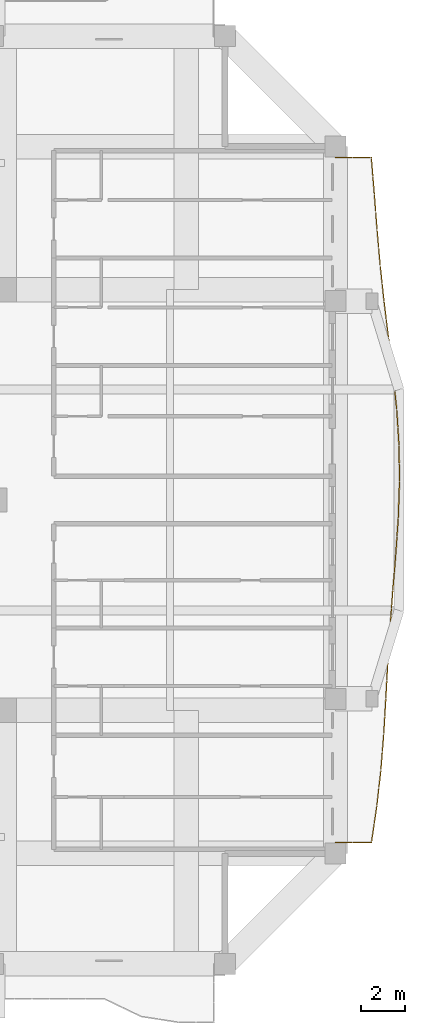
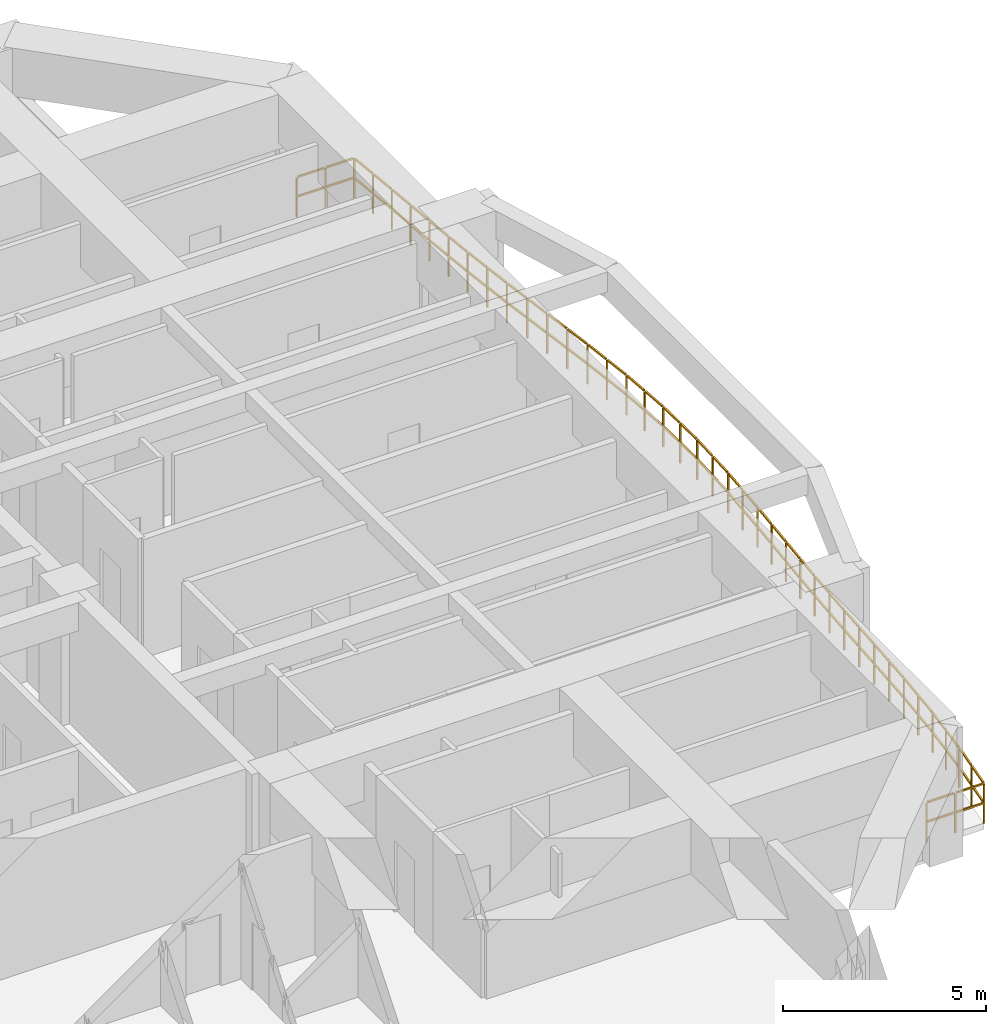
# One storey, part 14 of 15: 1 railing.
"""IFC4 building model written with IfcOpenShell, lengths in metres."""

from ifc_helpers import new_model, si_unit, direction, frame, origin, origin_2d, place, context, subcontext, project, spatial, rectangle, extrude, material, type_object, element, save


model = new_model("IFC4")

# Units and contexts
model_context = context("Model", 3, precision=1e-05, world=origin(), true_north=direction((0.0, 1.0)))
body_context = subcontext(model_context, "Body", "Model", "MODEL_VIEW")
ifc_project = project(units=[si_unit("LENGTHUNIT", "METRE"), si_unit("AREAUNIT", "SQUARE_METRE"), si_unit("VOLUMEUNIT", "CUBIC_METRE"), si_unit("PLANEANGLEUNIT", "RADIAN"), si_unit("MASSUNIT", "GRAM", prefix="KILO")], contexts=[model_context])

# Site, building, storey
site_placement = place(None, origin())
site = spatial("IfcSite", under=ifc_project, at=site_placement, CompositionType="ELEMENT")
building_placement = place(site_placement, origin())
building = spatial("IfcBuilding", under=site, at=building_placement, Name="Saelheon Loggia Tower", CompositionType="ELEMENT")
storey_placement = place(building_placement, frame((0.0, 0.0, 169.0)))
storey = spatial("IfcBuildingStorey", under=building, at=storey_placement, Name="L53", CompositionType="ELEMENT", Elevation=169.0)

# Railing
ifc_material = material(Name="Architectural Precast Concrete and Laminated Glass Guard", Category="concrete")
railing_type = type_object("IfcRailingType", Name="Guard_Loggia_RL_LOG", PredefinedType="BALUSTRADE", material=ifc_material)
railing_placement = place(storey_placement, frame((60.0, 11.5, 0.0)))
element("IfcRailing", 1, at=railing_placement, inside=storey, type_object=railing_type, Name="L53 East Loggia Balustrade", PredefinedType="BALUSTRADE", context=body_context, shape_type="SweptSolid", body=[
    extrude(rectangle(XDim=0.048095703125, YDim=0.048095703125, at=origin_2d()), frame((0.033203125, 0.0, 1.19580078125), z_axis=(1.0, 0.0, 0.0), x_axis=(0.0, 1.0, 0.0)), (0.0, 0.0, 1.0), 0.7509765625),
    extrude(rectangle(XDim=0.048095703125, YDim=0.048095703125, at=origin_2d()), frame((0.033203125, 0.0, 0.60986328125), z_axis=(1.0, 0.0, 0.0), x_axis=(0.0, 1.0, 0.0)), (0.0, 0.0, 1.0), 0.7509765625),
    extrude(rectangle(XDim=0.048095703125, YDim=0.048095703125, at=origin_2d()), frame((0.850830078125, 0.0, 1.19580078125), z_axis=(1.0, 0.0, 0.0), x_axis=(0.0, 1.0, 0.0)), (0.0, 0.0, 1.0), 0.7509765625),
    extrude(rectangle(XDim=0.048095703125, YDim=0.048095703125, at=origin_2d()), frame((0.850830078125, 0.0, 0.60986328125), z_axis=(1.0, 0.0, 0.0), x_axis=(0.0, 1.0, 0.0)), (0.0, 0.0, 1.0), 0.7509765625),
    extrude(rectangle(XDim=0.048095703125, YDim=0.048095703125, at=origin_2d()), frame((1.639892578125, 0.032958984375, 1.19580078125), z_axis=(0.145378914052, 0.989376051534, 0.0), x_axis=(-0.989376051534, 0.145378914052, 0.0)), (0.0, 0.0, 1.0), 0.758056640625),
    extrude(rectangle(XDim=0.048095703125, YDim=0.048095703125, at=origin_2d()), frame((1.639892578125, 0.032958984375, 0.60986328125), z_axis=(0.145378914052, 0.989376051534, 0.0), x_axis=(-0.989376051534, 0.145378914052, 0.0)), (0.0, 0.0, 1.0), 0.758056640625),
    extrude(rectangle(XDim=0.048095703125, YDim=0.048095703125, at=origin_2d()), frame((1.759765625, 0.8486328125, 1.19580078125), z_axis=(0.145378914052, 0.989376051534, 0.0), x_axis=(-0.989376051534, 0.145378914052, 0.0)), (0.0, 0.0, 1.0), 0.758056640625),
    extrude(rectangle(XDim=0.048095703125, YDim=0.048095703125, at=origin_2d()), frame((1.759765625, 0.8486328125, 0.60986328125), z_axis=(0.145378914052, 0.989376051534, 0.0), x_axis=(-0.989376051534, 0.145378914052, 0.0)), (0.0, 0.0, 1.0), 0.758056640625),
    extrude(rectangle(XDim=0.048095703125, YDim=0.048095703125, at=origin_2d()), frame((1.87841796875, 1.66455078125, 1.19580078125), z_axis=(0.112552721228, 0.993645754253, 0.0), x_axis=(-0.993645754253, 0.112552721228, 0.0)), (0.0, 0.0, 1.0), 0.754638671875),
    extrude(rectangle(XDim=0.048095703125, YDim=0.048095703125, at=origin_2d()), frame((1.87841796875, 1.66455078125, 0.60986328125), z_axis=(0.112552721228, 0.993645754253, 0.0), x_axis=(-0.993645754253, 0.112552721228, 0.0)), (0.0, 0.0, 1.0), 0.754638671875),
    extrude(rectangle(XDim=0.048095703125, YDim=0.048095703125, at=origin_2d()), frame((1.970947265625, 2.48046875, 1.19580078125), z_axis=(0.112552721228, 0.993645754253, 0.0), x_axis=(-0.993645754253, 0.112552721228, 0.0)), (0.0, 0.0, 1.0), 0.754638671875),
    extrude(rectangle(XDim=0.048095703125, YDim=0.048095703125, at=origin_2d()), frame((1.970947265625, 2.48046875, 0.60986328125), z_axis=(0.112552721228, 0.993645754253, 0.0), x_axis=(-0.993645754253, 0.112552721228, 0.0)), (0.0, 0.0, 1.0), 0.754638671875),
    extrude(rectangle(XDim=0.048095703125, YDim=0.048095703125, at=origin_2d()), frame((2.062255859375, 3.29638671875, 1.19580078125), z_axis=(0.079650367873, 0.996822862347, 0.0), x_axis=(-0.996822862347, 0.079650367873, 0.0)), (0.0, 0.0, 1.0), 0.751953125),
    extrude(rectangle(XDim=0.048095703125, YDim=0.048095703125, at=origin_2d()), frame((2.062255859375, 3.29638671875, 0.60986328125), z_axis=(0.079650367873, 0.996822862347, 0.0), x_axis=(-0.996822862347, 0.079650367873, 0.0)), (0.0, 0.0, 1.0), 0.751953125),
    extrude(rectangle(XDim=0.048095703125, YDim=0.048095703125, at=origin_2d()), frame((2.12744140625, 4.112060546875, 1.19580078125), z_axis=(0.079650367873, 0.996822862347, 0.0), x_axis=(-0.996822862347, 0.079650367873, 0.0)), (0.0, 0.0, 1.0), 0.751953125),
    extrude(rectangle(XDim=0.048095703125, YDim=0.048095703125, at=origin_2d()), frame((2.12744140625, 4.112060546875, 0.60986328125), z_axis=(0.079650367873, 0.996822862347, 0.0), x_axis=(-0.996822862347, 0.079650367873, 0.0)), (0.0, 0.0, 1.0), 0.751953125),
    extrude(rectangle(XDim=0.048095703125, YDim=0.048095703125, at=origin_2d()), frame((2.19189453125, 4.927978515625, 1.19580078125), z_axis=(0.058406780031, 0.998292866871, 0.0), x_axis=(-0.998292866871, 0.058406780031, 0.0)), (0.0, 0.0, 1.0), 0.750732421875),
    extrude(rectangle(XDim=0.048095703125, YDim=0.048095703125, at=origin_2d()), frame((2.19189453125, 4.927978515625, 0.60986328125), z_axis=(0.058406780031, 0.998292866871, 0.0), x_axis=(-0.998292866871, 0.058406780031, 0.0)), (0.0, 0.0, 1.0), 0.750732421875),
    extrude(rectangle(XDim=0.048095703125, YDim=0.048095703125, at=origin_2d()), frame((2.239501953125, 5.74365234375, 1.19580078125), z_axis=(0.058406780031, 0.998292866871, 0.0), x_axis=(-0.998292866871, 0.058406780031, 0.0)), (0.0, 0.0, 1.0), 0.750732421875),
    extrude(rectangle(XDim=0.048095703125, YDim=0.048095703125, at=origin_2d()), frame((2.239501953125, 5.74365234375, 0.60986328125), z_axis=(0.058406780031, 0.998292866871, 0.0), x_axis=(-0.998292866871, 0.058406780031, 0.0)), (0.0, 0.0, 1.0), 0.750732421875),
    extrude(rectangle(XDim=0.048095703125, YDim=0.048095703125, at=origin_2d()), frame((2.287109375, 6.5595703125, 1.19580078125), z_axis=(0.053939019535, 0.998544231455, 0.0), x_axis=(-0.998544231455, 0.053939019535, 0.0)), (0.0, 0.0, 1.0), 0.75048828125),
    extrude(rectangle(XDim=0.048095703125, YDim=0.048095703125, at=origin_2d()), frame((2.287109375, 6.5595703125, 0.60986328125), z_axis=(0.053939019535, 0.998544231455, 0.0), x_axis=(-0.998544231455, 0.053939019535, 0.0)), (0.0, 0.0, 1.0), 0.75048828125),
    extrude(rectangle(XDim=0.048095703125, YDim=0.048095703125, at=origin_2d()), frame((2.331298828125, 7.375244140625, 1.19580078125), z_axis=(0.053939019535, 0.998544231455, 0.0), x_axis=(-0.998544231455, 0.053939019535, 0.0)), (0.0, 0.0, 1.0), 0.75048828125),
    extrude(rectangle(XDim=0.048095703125, YDim=0.048095703125, at=origin_2d()), frame((2.331298828125, 7.375244140625, 0.60986328125), z_axis=(0.053939019535, 0.998544231455, 0.0), x_axis=(-0.998544231455, 0.053939019535, 0.0)), (0.0, 0.0, 1.0), 0.75048828125),
    extrude(rectangle(XDim=0.048095703125, YDim=0.048095703125, at=origin_2d()), frame((2.375732421875, 8.191162109375, 1.19580078125), z_axis=(0.063019778754, 0.998012278224, 0.0), x_axis=(-0.998012278224, 0.063019778754, 0.0)), (0.0, 0.0, 1.0), 0.7509765625),
    extrude(rectangle(XDim=0.048095703125, YDim=0.048095703125, at=origin_2d()), frame((2.375732421875, 8.191162109375, 0.60986328125), z_axis=(0.063019778754, 0.998012278224, 0.0), x_axis=(-0.998012278224, 0.063019778754, 0.0)), (0.0, 0.0, 1.0), 0.7509765625),
    extrude(rectangle(XDim=0.048095703125, YDim=0.048095703125, at=origin_2d()), frame((2.42724609375, 9.0068359375, 1.19580078125), z_axis=(0.063019778754, 0.998012278224, 0.0), x_axis=(-0.998012278224, 0.063019778754, 0.0)), (0.0, 0.0, 1.0), 0.7509765625),
    extrude(rectangle(XDim=0.048095703125, YDim=0.048095703125, at=origin_2d()), frame((2.42724609375, 9.0068359375, 0.60986328125), z_axis=(0.063019778754, 0.998012278224, 0.0), x_axis=(-0.998012278224, 0.063019778754, 0.0)), (0.0, 0.0, 1.0), 0.7509765625),
    extrude(rectangle(XDim=0.048095703125, YDim=0.048095703125, at=origin_2d()), frame((2.47900390625, 9.82275390625, 1.19580078125), z_axis=(0.075943449395, 0.99711212634, 0.0), x_axis=(-0.99711212634, 0.075943449395, 0.0)), (0.0, 0.0, 1.0), 0.751708984375),
    extrude(rectangle(XDim=0.048095703125, YDim=0.048095703125, at=origin_2d()), frame((2.47900390625, 9.82275390625, 0.60986328125), z_axis=(0.075943449395, 0.99711212634, 0.0), x_axis=(-0.99711212634, 0.075943449395, 0.0)), (0.0, 0.0, 1.0), 0.751708984375),
    extrude(rectangle(XDim=0.048095703125, YDim=0.048095703125, at=origin_2d()), frame((2.541259765625, 10.638427734375, 1.19580078125), z_axis=(0.075943449395, 0.99711212634, 0.0), x_axis=(-0.99711212634, 0.075943449395, 0.0)), (0.0, 0.0, 1.0), 0.751708984375),
    extrude(rectangle(XDim=0.048095703125, YDim=0.048095703125, at=origin_2d()), frame((2.541259765625, 10.638427734375, 0.60986328125), z_axis=(0.075943449395, 0.99711212634, 0.0), x_axis=(-0.99711212634, 0.075943449395, 0.0)), (0.0, 0.0, 1.0), 0.751708984375),
    extrude(rectangle(XDim=0.048095703125, YDim=0.048095703125, at=origin_2d()), frame((2.603515625, 11.454345703125, 1.19580078125), z_axis=(0.080847910163, 0.996726449645, 0.0), x_axis=(-0.996726449645, 0.080847910163, 0.0)), (0.0, 0.0, 1.0), 0.751953125),
    extrude(rectangle(XDim=0.048095703125, YDim=0.048095703125, at=origin_2d()), frame((2.603515625, 11.454345703125, 0.60986328125), z_axis=(0.080847910163, 0.996726449645, 0.0), x_axis=(-0.996726449645, 0.080847910163, 0.0)), (0.0, 0.0, 1.0), 0.751953125),
    extrude(rectangle(XDim=0.048095703125, YDim=0.048095703125, at=origin_2d()), frame((2.669677734375, 12.27001953125, 1.19580078125), z_axis=(0.080847910163, 0.996726449645, 0.0), x_axis=(-0.996726449645, 0.080847910163, 0.0)), (0.0, 0.0, 1.0), 0.751953125),
    extrude(rectangle(XDim=0.048095703125, YDim=0.048095703125, at=origin_2d()), frame((2.669677734375, 12.27001953125, 0.60986328125), z_axis=(0.080847910163, 0.996726449645, 0.0), x_axis=(-0.996726449645, 0.080847910163, 0.0)), (0.0, 0.0, 1.0), 0.751953125),
    extrude(rectangle(XDim=0.048095703125, YDim=0.048095703125, at=origin_2d()), frame((2.7353515625, 13.085693359375, 1.19580078125), z_axis=(0.067925948873, 0.997690365529, 0.0), x_axis=(-0.997690365529, 0.067925948873, 0.0)), (0.0, 0.0, 1.0), 0.751220703125),
    extrude(rectangle(XDim=0.048095703125, YDim=0.048095703125, at=origin_2d()), frame((2.7353515625, 13.085693359375, 0.60986328125), z_axis=(0.067925948873, 0.997690365529, 0.0), x_axis=(-0.997690365529, 0.067925948873, 0.0)), (0.0, 0.0, 1.0), 0.751220703125),
    extrude(rectangle(XDim=0.048095703125, YDim=0.048095703125, at=origin_2d()), frame((2.791015625, 13.9013671875, 1.19580078125), z_axis=(0.067925948873, 0.997690365529, 0.0), x_axis=(-0.997690365529, 0.067925948873, 0.0)), (0.0, 0.0, 1.0), 0.751220703125),
    extrude(rectangle(XDim=0.048095703125, YDim=0.048095703125, at=origin_2d()), frame((2.791015625, 13.9013671875, 0.60986328125), z_axis=(0.067925948873, 0.997690365529, 0.0), x_axis=(-0.997690365529, 0.067925948873, 0.0)), (0.0, 0.0, 1.0), 0.751220703125),
    extrude(rectangle(XDim=0.048095703125, YDim=0.048095703125, at=origin_2d()), frame((2.845458984375, 14.71728515625, 1.19580078125), z_axis=(0.034838204812, 0.999392965497, 0.0), x_axis=(-0.999392965497, 0.034838204812, 0.0)), (0.0, 0.0, 1.0), 0.75),
    extrude(rectangle(XDim=0.048095703125, YDim=0.048095703125, at=origin_2d()), frame((2.845458984375, 14.71728515625, 0.60986328125), z_axis=(0.034838204812, 0.999392965497, 0.0), x_axis=(-0.999392965497, 0.034838204812, 0.0)), (0.0, 0.0, 1.0), 0.75),
    extrude(rectangle(XDim=0.048095703125, YDim=0.048095703125, at=origin_2d()), frame((2.873779296875, 15.533203125, 1.19580078125), z_axis=(0.034838204812, 0.999392965497, 0.0), x_axis=(-0.999392965497, 0.034838204812, 0.0)), (0.0, 0.0, 1.0), 0.75),
    extrude(rectangle(XDim=0.048095703125, YDim=0.048095703125, at=origin_2d()), frame((2.873779296875, 15.533203125, 0.60986328125), z_axis=(0.034838204812, 0.999392965497, 0.0), x_axis=(-0.999392965497, 0.034838204812, 0.0)), (0.0, 0.0, 1.0), 0.75),
    extrude(rectangle(XDim=0.048095703125, YDim=0.048095703125, at=origin_2d()), frame((2.900634765625, 16.34912109375, 1.19580078125), z_axis=(-0.012867406881, 0.999917211493, 0.0), x_axis=(-0.999917211493, -0.012867406881, 0.0)), (0.0, 0.0, 1.0), 0.74951171875),
    extrude(rectangle(XDim=0.048095703125, YDim=0.048095703125, at=origin_2d()), frame((2.900634765625, 16.34912109375, 0.60986328125), z_axis=(-0.012867406881, 0.999917211493, 0.0), x_axis=(-0.999917211493, -0.012867406881, 0.0)), (0.0, 0.0, 1.0), 0.74951171875),
    extrude(rectangle(XDim=0.048095703125, YDim=0.048095703125, at=origin_2d()), frame((2.89013671875, 17.1650390625, 1.19580078125), z_axis=(-0.012867406881, 0.999917211493, 0.0), x_axis=(-0.999917211493, -0.012867406881, 0.0)), (0.0, 0.0, 1.0), 0.74951171875),
    extrude(rectangle(XDim=0.048095703125, YDim=0.048095703125, at=origin_2d()), frame((2.89013671875, 17.1650390625, 0.60986328125), z_axis=(-0.012867406881, 0.999917211493, 0.0), x_axis=(-0.999917211493, -0.012867406881, 0.0)), (0.0, 0.0, 1.0), 0.74951171875),
    extrude(rectangle(XDim=0.048095703125, YDim=0.048095703125, at=origin_2d()), frame((2.8779296875, 17.980712890625, 1.19580078125), z_axis=(-0.063177935338, 0.998002278798, 0.0), x_axis=(-0.998002278798, -0.063177935338, 0.0)), (0.0, 0.0, 1.0), 0.750732421875),
    extrude(rectangle(XDim=0.048095703125, YDim=0.048095703125, at=origin_2d()), frame((2.8779296875, 17.980712890625, 0.60986328125), z_axis=(-0.063177935338, 0.998002278798, 0.0), x_axis=(-0.998002278798, -0.063177935338, 0.0)), (0.0, 0.0, 1.0), 0.750732421875),
    extrude(rectangle(XDim=0.048095703125, YDim=0.048095703125, at=origin_2d()), frame((2.826416015625, 18.79638671875, 1.19580078125), z_axis=(-0.063177935338, 0.998002278798, 0.0), x_axis=(-0.998002278798, -0.063177935338, 0.0)), (0.0, 0.0, 1.0), 0.750732421875),
    extrude(rectangle(XDim=0.048095703125, YDim=0.048095703125, at=origin_2d()), frame((2.826416015625, 18.79638671875, 0.60986328125), z_axis=(-0.063177935338, 0.998002278798, 0.0), x_axis=(-0.998002278798, -0.063177935338, 0.0)), (0.0, 0.0, 1.0), 0.750732421875),
    extrude(rectangle(XDim=0.048095703125, YDim=0.048095703125, at=origin_2d()), frame((2.7734375, 19.61181640625, 1.19580078125), z_axis=(-0.102995632399, 0.994681808272, 0.0), x_axis=(-0.994681808272, -0.102995632399, 0.0)), (0.0, 0.0, 1.0), 0.753662109375),
    extrude(rectangle(XDim=0.048095703125, YDim=0.048095703125, at=origin_2d()), frame((2.7734375, 19.61181640625, 0.60986328125), z_axis=(-0.102995632399, 0.994681808272, 0.0), x_axis=(-0.994681808272, -0.102995632399, 0.0)), (0.0, 0.0, 1.0), 0.753662109375),
    extrude(rectangle(XDim=0.048095703125, YDim=0.048095703125, at=origin_2d()), frame((2.68896484375, 20.427734375, 1.19580078125), z_axis=(-0.102995632399, 0.994681808272, 0.0), x_axis=(-0.994681808272, -0.102995632399, 0.0)), (0.0, 0.0, 1.0), 0.753662109375),
    extrude(rectangle(XDim=0.048095703125, YDim=0.048095703125, at=origin_2d()), frame((2.68896484375, 20.427734375, 0.60986328125), z_axis=(-0.102995632399, 0.994681808272, 0.0), x_axis=(-0.994681808272, -0.102995632399, 0.0)), (0.0, 0.0, 1.0), 0.753662109375),
    extrude(rectangle(XDim=0.048095703125, YDim=0.048095703125, at=origin_2d()), frame((2.603759765625, 21.243408203125, 1.19580078125), z_axis=(-0.122956337469, 0.992412081283, 0.0), x_axis=(-0.992412081283, -0.122956337469, 0.0)), (0.0, 0.0, 1.0), 0.755615234375),
    extrude(rectangle(XDim=0.048095703125, YDim=0.048095703125, at=origin_2d()), frame((2.603759765625, 21.243408203125, 0.60986328125), z_axis=(-0.122956337469, 0.992412081283, 0.0), x_axis=(-0.992412081283, -0.122956337469, 0.0)), (0.0, 0.0, 1.0), 0.755615234375),
    extrude(rectangle(XDim=0.048095703125, YDim=0.048095703125, at=origin_2d()), frame((2.502685546875, 22.059326171875, 1.19580078125), z_axis=(-0.122956337469, 0.992412081283, 0.0), x_axis=(-0.992412081283, -0.122956337469, 0.0)), (0.0, 0.0, 1.0), 0.755615234375),
    extrude(rectangle(XDim=0.048095703125, YDim=0.048095703125, at=origin_2d()), frame((2.502685546875, 22.059326171875, 0.60986328125), z_axis=(-0.122956337469, 0.992412081283, 0.0), x_axis=(-0.992412081283, -0.122956337469, 0.0)), (0.0, 0.0, 1.0), 0.755615234375),
    extrude(rectangle(XDim=0.048095703125, YDim=0.048095703125, at=origin_2d()), frame((2.401611328125, 22.875, 1.19580078125), z_axis=(-0.122078675825, 0.992520426444, 0.0), x_axis=(-0.992520426444, -0.122078675825, 0.0)), (0.0, 0.0, 1.0), 0.75537109375),
    extrude(rectangle(XDim=0.048095703125, YDim=0.048095703125, at=origin_2d()), frame((2.401611328125, 22.875, 0.60986328125), z_axis=(-0.122078675825, 0.992520426444, 0.0), x_axis=(-0.992520426444, -0.122078675825, 0.0)), (0.0, 0.0, 1.0), 0.75537109375),
    extrude(rectangle(XDim=0.048095703125, YDim=0.048095703125, at=origin_2d()), frame((2.30126953125, 23.69091796875, 1.19580078125), z_axis=(-0.122078675825, 0.992520426444, 0.0), x_axis=(-0.992520426444, -0.122078675825, 0.0)), (0.0, 0.0, 1.0), 0.75537109375),
    extrude(rectangle(XDim=0.048095703125, YDim=0.048095703125, at=origin_2d()), frame((2.30126953125, 23.69091796875, 0.60986328125), z_axis=(-0.122078675825, 0.992520426444, 0.0), x_axis=(-0.992520426444, -0.122078675825, 0.0)), (0.0, 0.0, 1.0), 0.75537109375),
    extrude(rectangle(XDim=0.048095703125, YDim=0.048095703125, at=origin_2d()), frame((2.20166015625, 24.506591796875, 1.19580078125), z_axis=(-0.106380773266, 0.994325465368, 0.0), x_axis=(-0.994325465368, -0.106380773266, 0.0)), (0.0, 0.0, 1.0), 0.75390625),
    extrude(rectangle(XDim=0.048095703125, YDim=0.048095703125, at=origin_2d()), frame((2.20166015625, 24.506591796875, 0.60986328125), z_axis=(-0.106380773266, 0.994325465368, 0.0), x_axis=(-0.994325465368, -0.106380773266, 0.0)), (0.0, 0.0, 1.0), 0.75390625),
    extrude(rectangle(XDim=0.048095703125, YDim=0.048095703125, at=origin_2d()), frame((2.1142578125, 25.322509765625, 1.19580078125), z_axis=(-0.106380773266, 0.994325465368, 0.0), x_axis=(-0.994325465368, -0.106380773266, 0.0)), (0.0, 0.0, 1.0), 0.75390625),
    extrude(rectangle(XDim=0.048095703125, YDim=0.048095703125, at=origin_2d()), frame((2.1142578125, 25.322509765625, 0.60986328125), z_axis=(-0.106380773266, 0.994325465368, 0.0), x_axis=(-0.994325465368, -0.106380773266, 0.0)), (0.0, 0.0, 1.0), 0.75390625),
    extrude(rectangle(XDim=0.048095703125, YDim=0.048095703125, at=origin_2d()), frame((2.027587890625, 26.138427734375, 1.19580078125), z_axis=(-0.087497932006, 0.996164701189, 0.0), x_axis=(-0.996164701189, -0.087497932006, 0.0)), (0.0, 0.0, 1.0), 0.75244140625),
    extrude(rectangle(XDim=0.048095703125, YDim=0.048095703125, at=origin_2d()), frame((2.027587890625, 26.138427734375, 0.60986328125), z_axis=(-0.087497932006, 0.996164701189, 0.0), x_axis=(-0.996164701189, -0.087497932006, 0.0)), (0.0, 0.0, 1.0), 0.75244140625),
    extrude(rectangle(XDim=0.048095703125, YDim=0.048095703125, at=origin_2d()), frame((1.9560546875, 26.9541015625, 1.19580078125), z_axis=(-0.087497932006, 0.996164701189, 0.0), x_axis=(-0.996164701189, -0.087497932006, 0.0)), (0.0, 0.0, 1.0), 0.75244140625),
    extrude(rectangle(XDim=0.048095703125, YDim=0.048095703125, at=origin_2d()), frame((1.9560546875, 26.9541015625, 0.60986328125), z_axis=(-0.087497932006, 0.996164701189, 0.0), x_axis=(-0.996164701189, -0.087497932006, 0.0)), (0.0, 0.0, 1.0), 0.75244140625),
    extrude(rectangle(XDim=0.048095703125, YDim=0.048095703125, at=origin_2d()), frame((1.884765625, 27.77001953125, 1.19580078125), z_axis=(-0.076833402912, 0.997043944968, 0.0), x_axis=(-0.997043944968, -0.076833402912, 0.0)), (0.0, 0.0, 1.0), 0.751708984375),
    extrude(rectangle(XDim=0.048095703125, YDim=0.048095703125, at=origin_2d()), frame((1.884765625, 27.77001953125, 0.60986328125), z_axis=(-0.076833402912, 0.997043944968, 0.0), x_axis=(-0.997043944968, -0.076833402912, 0.0)), (0.0, 0.0, 1.0), 0.751708984375),
    extrude(rectangle(XDim=0.048095703125, YDim=0.048095703125, at=origin_2d()), frame((1.82177734375, 28.585693359375, 1.19580078125), z_axis=(-0.076833402912, 0.997043944968, 0.0), x_axis=(-0.997043944968, -0.076833402912, 0.0)), (0.0, 0.0, 1.0), 0.751708984375),
    extrude(rectangle(XDim=0.048095703125, YDim=0.048095703125, at=origin_2d()), frame((1.82177734375, 28.585693359375, 0.60986328125), z_axis=(-0.076833402912, 0.997043944968, 0.0), x_axis=(-0.997043944968, -0.076833402912, 0.0)), (0.0, 0.0, 1.0), 0.751708984375),
    extrude(rectangle(XDim=0.048095703125, YDim=0.048095703125, at=origin_2d()), frame((1.7587890625, 29.401611328125, 1.19580078125), z_axis=(-0.081724809709, 0.996654933002, 0.0), x_axis=(-0.996654933002, -0.081724809709, 0.0)), (0.0, 0.0, 1.0), 0.751953125),
    extrude(rectangle(XDim=0.048095703125, YDim=0.048095703125, at=origin_2d()), frame((1.7587890625, 29.401611328125, 0.60986328125), z_axis=(-0.081724809709, 0.996654933002, 0.0), x_axis=(-0.996654933002, -0.081724809709, 0.0)), (0.0, 0.0, 1.0), 0.751953125),
    extrude(rectangle(XDim=0.048095703125, YDim=0.048095703125, at=origin_2d()), frame((1.69189453125, 30.21728515625, 1.19580078125), z_axis=(-0.081724809709, 0.996654933002, 0.0), x_axis=(-0.996654933002, -0.081724809709, 0.0)), (0.0, 0.0, 1.0), 0.751953125),
    extrude(rectangle(XDim=0.048095703125, YDim=0.048095703125, at=origin_2d()), frame((1.69189453125, 30.21728515625, 0.60986328125), z_axis=(-0.081724809709, 0.996654933002, 0.0), x_axis=(-0.996654933002, -0.081724809709, 0.0)), (0.0, 0.0, 1.0), 0.751953125),
    extrude(rectangle(XDim=0.048095703125, YDim=0.048095703125, at=origin_2d()), frame((1.594482421875, 31.0, 1.19580078125), z_axis=(-1.0, 0.0, 0.0), x_axis=(0.0, -1.0, 0.0)), (0.0, 0.0, 1.0), 0.747314453125),
    extrude(rectangle(XDim=0.048095703125, YDim=0.048095703125, at=origin_2d()), frame((1.594482421875, 31.0, 0.60986328125), z_axis=(-1.0, 0.0, 0.0), x_axis=(0.0, -1.0, 0.0)), (0.0, 0.0, 1.0), 0.747314453125),
    extrude(rectangle(XDim=0.048095703125, YDim=0.048095703125, at=origin_2d()), frame((0.780517578125, 31.0, 1.19580078125), z_axis=(-1.0, 0.0, 0.0), x_axis=(0.0, -1.0, 0.0)), (0.0, 0.0, 1.0), 0.747314453125),
    extrude(rectangle(XDim=0.048095703125, YDim=0.048095703125, at=origin_2d()), frame((0.780517578125, 31.0, 0.60986328125), z_axis=(-1.0, 0.0, 0.0), x_axis=(0.0, -1.0, 0.0)), (0.0, 0.0, 1.0), 0.747314453125),
    extrude(rectangle(XDim=0.0419921875, YDim=0.0419921875, at=origin_2d()), origin(), (0.0, 0.0, 1.0), 1.16796875),
    extrude(rectangle(XDim=0.0419921875, YDim=0.0419921875, at=origin_2d()), frame((0.8173828125, 0.0, 0.0)), (0.0, 0.0, 1.0), 1.16796875),
    extrude(rectangle(XDim=0.0419921875, YDim=0.0419921875, at=origin_2d()), frame((1.635009765625, 0.0, 0.0)), (0.0, 0.0, 1.0), 1.16796875),
    extrude(rectangle(XDim=0.0419921875, YDim=0.0419921875, at=origin_2d()), frame((1.7548828125, 0.81591796875, 0.0)), (0.0, 0.0, 1.0), 1.16796875),
    extrude(rectangle(XDim=0.0419921875, YDim=0.0419921875, at=origin_2d()), frame((1.874755859375, 1.631591796875, 0.0)), (0.0, 0.0, 1.0), 1.16796875),
    extrude(rectangle(XDim=0.0419921875, YDim=0.0419921875, at=origin_2d()), frame((1.96728515625, 2.447265625, 0.0)), (0.0, 0.0, 1.0), 1.16796875),
    extrude(rectangle(XDim=0.0419921875, YDim=0.0419921875, at=origin_2d()), frame((2.0595703125, 3.26318359375, 0.0)), (0.0, 0.0, 1.0), 1.16796875),
    extrude(rectangle(XDim=0.0419921875, YDim=0.0419921875, at=origin_2d()), frame((2.124755859375, 4.0791015625, 0.0)), (0.0, 0.0, 1.0), 1.16796875),
    extrude(rectangle(XDim=0.0419921875, YDim=0.0419921875, at=origin_2d()), frame((2.18994140625, 4.894775390625, 0.0)), (0.0, 0.0, 1.0), 1.16796875),
    extrude(rectangle(XDim=0.0419921875, YDim=0.0419921875, at=origin_2d()), frame((2.23779296875, 5.71044921875, 0.0)), (0.0, 0.0, 1.0), 1.16796875),
    extrude(rectangle(XDim=0.0419921875, YDim=0.0419921875, at=origin_2d()), frame((2.285400390625, 6.5263671875, 0.0)), (0.0, 0.0, 1.0), 1.16796875),
    extrude(rectangle(XDim=0.0419921875, YDim=0.0419921875, at=origin_2d()), frame((2.32958984375, 7.34228515625, 0.0)), (0.0, 0.0, 1.0), 1.16796875),
    extrude(rectangle(XDim=0.0419921875, YDim=0.0419921875, at=origin_2d()), frame((2.37353515625, 8.157958984375, 0.0)), (0.0, 0.0, 1.0), 1.16796875),
    extrude(rectangle(XDim=0.0419921875, YDim=0.0419921875, at=origin_2d()), frame((2.425048828125, 8.9736328125, 0.0)), (0.0, 0.0, 1.0), 1.16796875),
    extrude(rectangle(XDim=0.0419921875, YDim=0.0419921875, at=origin_2d()), frame((2.4765625, 9.78955078125, 0.0)), (0.0, 0.0, 1.0), 1.16796875),
    extrude(rectangle(XDim=0.0419921875, YDim=0.0419921875, at=origin_2d()), frame((2.53857421875, 10.60546875, 0.0)), (0.0, 0.0, 1.0), 1.16796875),
    extrude(rectangle(XDim=0.0419921875, YDim=0.0419921875, at=origin_2d()), frame((2.600830078125, 11.421142578125, 0.0)), (0.0, 0.0, 1.0), 1.16796875),
    extrude(rectangle(XDim=0.0419921875, YDim=0.0419921875, at=origin_2d()), frame((2.6669921875, 12.23681640625, 0.0)), (0.0, 0.0, 1.0), 1.16796875),
    extrude(rectangle(XDim=0.0419921875, YDim=0.0419921875, at=origin_2d()), frame((2.733154296875, 13.052490234375, 0.0)), (0.0, 0.0, 1.0), 1.16796875),
    extrude(rectangle(XDim=0.0419921875, YDim=0.0419921875, at=origin_2d()), frame((2.78857421875, 13.8681640625, 0.0)), (0.0, 0.0, 1.0), 1.16796875),
    extrude(rectangle(XDim=0.0419921875, YDim=0.0419921875, at=origin_2d()), frame((2.84423828125, 14.68408203125, 0.0)), (0.0, 0.0, 1.0), 1.16796875),
    extrude(rectangle(XDim=0.0419921875, YDim=0.0419921875, at=origin_2d()), frame((2.87255859375, 15.5, 0.0)), (0.0, 0.0, 1.0), 1.16796875),
    extrude(rectangle(XDim=0.0419921875, YDim=0.0419921875, at=origin_2d()), frame((2.901123046875, 16.31591796875, 0.0)), (0.0, 0.0, 1.0), 1.16796875),
    extrude(rectangle(XDim=0.0419921875, YDim=0.0419921875, at=origin_2d()), frame((2.890625, 17.1318359375, 0.0)), (0.0, 0.0, 1.0), 1.16796875),
    extrude(rectangle(XDim=0.0419921875, YDim=0.0419921875, at=origin_2d()), frame((2.880126953125, 17.947509765625, 0.0)), (0.0, 0.0, 1.0), 1.16796875),
    extrude(rectangle(XDim=0.0419921875, YDim=0.0419921875, at=origin_2d()), frame((2.82861328125, 18.76318359375, 0.0)), (0.0, 0.0, 1.0), 1.16796875),
    extrude(rectangle(XDim=0.0419921875, YDim=0.0419921875, at=origin_2d()), frame((2.77685546875, 19.578857421875, 0.0)), (0.0, 0.0, 1.0), 1.16796875),
    extrude(rectangle(XDim=0.0419921875, YDim=0.0419921875, at=origin_2d()), frame((2.6923828125, 20.39453125, 0.0)), (0.0, 0.0, 1.0), 1.16796875),
    extrude(rectangle(XDim=0.0419921875, YDim=0.0419921875, at=origin_2d()), frame((2.60791015625, 21.21044921875, 0.0)), (0.0, 0.0, 1.0), 1.16796875),
    extrude(rectangle(XDim=0.0419921875, YDim=0.0419921875, at=origin_2d()), frame((2.5068359375, 22.0263671875, 0.0)), (0.0, 0.0, 1.0), 1.16796875),
    extrude(rectangle(XDim=0.0419921875, YDim=0.0419921875, at=origin_2d()), frame((2.40576171875, 22.842041015625, 0.0)), (0.0, 0.0, 1.0), 1.16796875),
    extrude(rectangle(XDim=0.0419921875, YDim=0.0419921875, at=origin_2d()), frame((2.305419921875, 23.65771484375, 0.0)), (0.0, 0.0, 1.0), 1.16796875),
    extrude(rectangle(XDim=0.0419921875, YDim=0.0419921875, at=origin_2d()), frame((2.205078125, 24.4736328125, 0.0)), (0.0, 0.0, 1.0), 1.16796875),
    extrude(rectangle(XDim=0.0419921875, YDim=0.0419921875, at=origin_2d()), frame((2.11767578125, 25.28955078125, 0.0)), (0.0, 0.0, 1.0), 1.16796875),
    extrude(rectangle(XDim=0.0419921875, YDim=0.0419921875, at=origin_2d()), frame((2.030517578125, 26.105224609375, 0.0)), (0.0, 0.0, 1.0), 1.16796875),
    extrude(rectangle(XDim=0.0419921875, YDim=0.0419921875, at=origin_2d()), frame((1.958984375, 26.9208984375, 0.0)), (0.0, 0.0, 1.0), 1.16796875),
    extrude(rectangle(XDim=0.0419921875, YDim=0.0419921875, at=origin_2d()), frame((1.88720703125, 27.73681640625, 0.0)), (0.0, 0.0, 1.0), 1.16796875),
    extrude(rectangle(XDim=0.0419921875, YDim=0.0419921875, at=origin_2d()), frame((1.82421875, 28.552734375, 0.0)), (0.0, 0.0, 1.0), 1.16796875),
    extrude(rectangle(XDim=0.0419921875, YDim=0.0419921875, at=origin_2d()), frame((1.761474609375, 29.368408203125, 0.0)), (0.0, 0.0, 1.0), 1.16796875),
    extrude(rectangle(XDim=0.0419921875, YDim=0.0419921875, at=origin_2d()), frame((1.694580078125, 30.18408203125, 0.0)), (0.0, 0.0, 1.0), 1.16796875),
    extrude(rectangle(XDim=0.0419921875, YDim=0.0419921875, at=origin_2d()), frame((1.627685546875, 31.0, 0.0)), (0.0, 0.0, 1.0), 1.16796875),
    extrude(rectangle(XDim=0.0419921875, YDim=0.0419921875, at=origin_2d()), frame((0.81396484375, 31.0, 0.0)), (0.0, 0.0, 1.0), 1.16796875),
    extrude(rectangle(XDim=0.0419921875, YDim=0.0419921875, at=origin_2d()), frame((0.0, 31.0, 0.0)), (0.0, 0.0, 1.0), 1.16796875),
])

save(model, "model.ifc")
